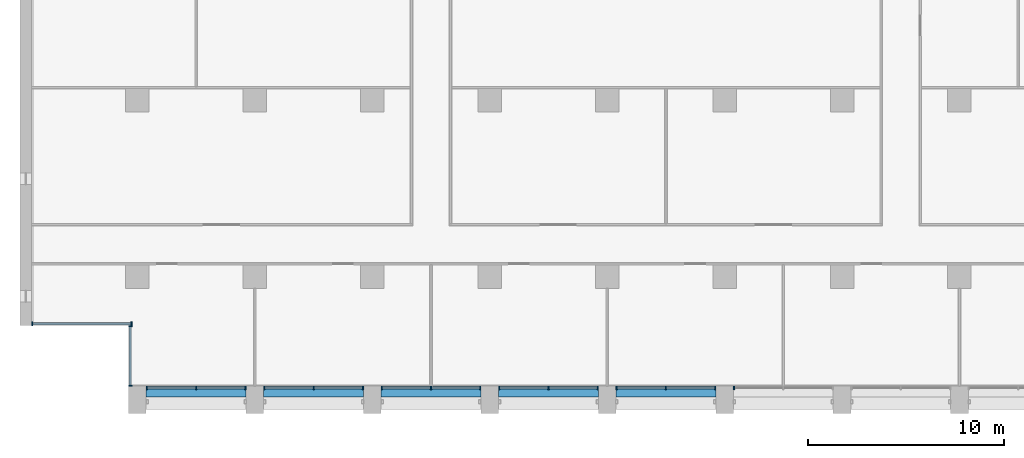
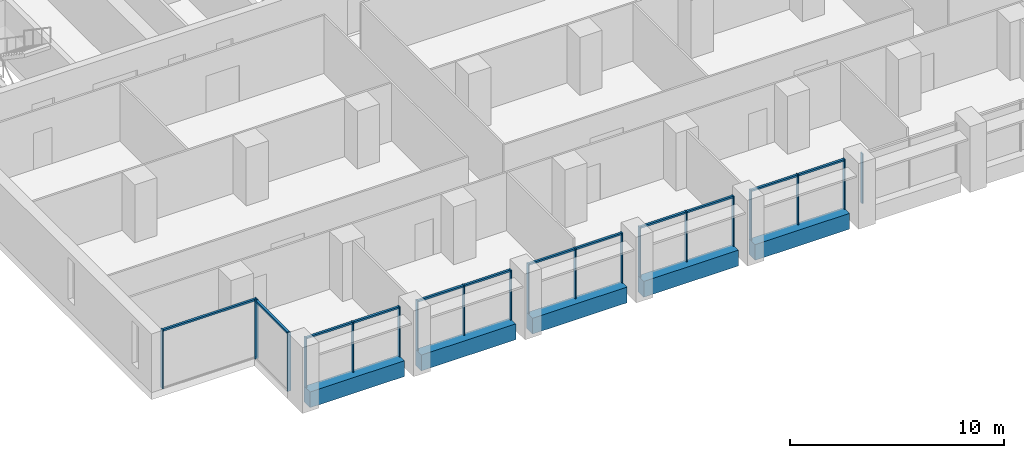
# One storey, part 2 of 17: 32 members, 5 beams, 8 elements without a shape of their own.
"""IFC4 building model written with IfcOpenShell, lengths in metres."""

from ifc_helpers import new_model, si_unit, direction, frame, origin, origin_2d, place, context, subcontext, project, spatial, rectangle, extrude, material, material_profile, profile_set, type_object, element, aggregate, save


model = new_model("IFC4")

# Units and contexts
model_context = context("Model", 3, precision=1e-05, world=origin(), true_north=direction((0.0, 1.0)))
body_context = subcontext(model_context, "Body", "Model", "MODEL_VIEW")
ifc_project = project(units=[si_unit("LENGTHUNIT", "METRE"), si_unit("AREAUNIT", "SQUARE_METRE"), si_unit("VOLUMEUNIT", "CUBIC_METRE"), si_unit("PLANEANGLEUNIT", "RADIAN"), si_unit("MASSUNIT", "GRAM", prefix="KILO")], contexts=[model_context])

# Site, building, storey
site_placement = place(None, origin())
site = spatial("IfcSite", under=ifc_project, at=site_placement, CompositionType="ELEMENT")
building_placement = place(site_placement, origin())
building = spatial("IfcBuilding", under=site, at=building_placement, Name="Calvaro Tower", CompositionType="ELEMENT")
storey_placement = place(building_placement, frame((0.0, 0.0, 170.5)))
storey = spatial("IfcBuildingStorey", under=building, at=storey_placement, Name="L42", CompositionType="ELEMENT", Elevation=170.5)

# Curtain wall, members
ifc_material_1 = material(Name="Anodised aluminium", Category="aluminium")
curtain_wall_type = type_object("IfcCurtainWallType", Name="Office curtain wall, upper zone", PredefinedType="NOTDEFINED", material=ifc_material_1)
curtain_wall_1_placement = place(storey_placement, origin())
curtain_wall_1 = element("IfcCurtainWall", 1, at=curtain_wall_1_placement, inside=storey, type_object=curtain_wall_type, Name="CW3 south curtain wall", PredefinedType="NOTDEFINED")
ifc_material_2 = material(Name="Anodised aluminium", Category="aluminium")
ifc_material_profile_1 = material_profile(ifc_material_2, rectangle(XDim=0.179931640625, YDim=0.06005859375, at=origin_2d()), Name="Mullion S3 60 x 180")
ifc_profile_set_1 = profile_set([ifc_material_profile_1], Name="Anodised aluminium")
member_type_1 = type_object("IfcMemberType", Name="Mullion S3 60 x 180", PredefinedType="MULLION", material=ifc_profile_set_1)
member_1_placement = place(storey_placement, frame((12.47998046875, 4.31005859375, 0.0), z_axis=(0.0, 0.0, 1.0), x_axis=(0.0, 1.0, 0.0)))
member_1 = element("IfcMember", 2, at=member_1_placement, type_object=member_type_1, Name="CW3 mullion 1", PredefinedType="MULLION", context=body_context, shape_type="SweptSolid", body=[
    extrude(rectangle(XDim=0.179931640625, YDim=0.06005859375, at=origin_2d()), origin(), (0.0, 0.0, 1.0), 2.85009765625),
])
member_2_placement = place(storey_placement, frame((15.0, 4.31005859375, 0.0), z_axis=(0.0, 0.0, 1.0), x_axis=(0.0, 1.0, 0.0)))
member_2 = element("IfcMember", 3, at=member_2_placement, type_object=member_type_1, Name="CW3 mullion 2", PredefinedType="MULLION", context=body_context, shape_type="SweptSolid", body=[
    extrude(rectangle(XDim=0.179931640625, YDim=0.06005859375, at=origin_2d()), origin(), (0.0, 0.0, 1.0), 2.85009765625),
])
member_3_placement = place(storey_placement, frame((17.52001953125, 4.31005859375, 0.0), z_axis=(0.0, 0.0, 1.0), x_axis=(0.0, 1.0, 0.0)))
member_3 = element("IfcMember", 4, at=member_3_placement, type_object=member_type_1, Name="CW3 mullion 3", PredefinedType="MULLION", context=body_context, shape_type="SweptSolid", body=[
    extrude(rectangle(XDim=0.179931640625, YDim=0.06005859375, at=origin_2d()), origin(), (0.0, 0.0, 1.0), 2.85009765625),
])

curtain_wall_2_placement = place(storey_placement, origin())
curtain_wall_2 = element("IfcCurtainWall", 5, at=curtain_wall_2_placement, inside=storey, type_object=curtain_wall_type, Name="CW3 south curtain wall", PredefinedType="NOTDEFINED")
member_4_placement = place(storey_placement, frame((18.47998046875, 4.31005859375, 0.0), z_axis=(0.0, 0.0, 1.0), x_axis=(0.0, 1.0, 0.0)))
member_4 = element("IfcMember", 6, at=member_4_placement, type_object=member_type_1, Name="CW3 mullion 1", PredefinedType="MULLION", context=body_context, shape_type="SweptSolid", body=[
    extrude(rectangle(XDim=0.179931640625, YDim=0.06005859375, at=origin_2d()), origin(), (0.0, 0.0, 1.0), 2.85009765625),
])
member_5_placement = place(storey_placement, frame((21.0, 4.31005859375, 0.0), z_axis=(0.0, 0.0, 1.0), x_axis=(0.0, 1.0, 0.0)))
member_5 = element("IfcMember", 7, at=member_5_placement, type_object=member_type_1, Name="CW3 mullion 2", PredefinedType="MULLION", context=body_context, shape_type="SweptSolid", body=[
    extrude(rectangle(XDim=0.179931640625, YDim=0.06005859375, at=origin_2d()), origin(), (0.0, 0.0, 1.0), 2.85009765625),
])
member_6_placement = place(storey_placement, frame((23.52001953125, 4.31005859375, 0.0), z_axis=(0.0, 0.0, 1.0), x_axis=(0.0, 1.0, 0.0)))
member_6 = element("IfcMember", 8, at=member_6_placement, type_object=member_type_1, Name="CW3 mullion 3", PredefinedType="MULLION", context=body_context, shape_type="SweptSolid", body=[
    extrude(rectangle(XDim=0.179931640625, YDim=0.06005859375, at=origin_2d()), origin(), (0.0, 0.0, 1.0), 2.85009765625),
])

curtain_wall_3_placement = place(storey_placement, origin())
curtain_wall_3 = element("IfcCurtainWall", 9, at=curtain_wall_3_placement, inside=storey, type_object=curtain_wall_type, Name="CW3 south curtain wall", PredefinedType="NOTDEFINED")
member_7_placement = place(storey_placement, frame((24.47998046875, 4.31005859375, 0.0), z_axis=(0.0, 0.0, 1.0), x_axis=(0.0, 1.0, 0.0)))
member_7 = element("IfcMember", 10, at=member_7_placement, type_object=member_type_1, Name="CW3 mullion 1", PredefinedType="MULLION", context=body_context, shape_type="SweptSolid", body=[
    extrude(rectangle(XDim=0.179931640625, YDim=0.06005859375, at=origin_2d()), origin(), (0.0, 0.0, 1.0), 2.85009765625),
])
member_8_placement = place(storey_placement, frame((27.0, 4.31005859375, 0.0), z_axis=(0.0, 0.0, 1.0), x_axis=(0.0, 1.0, 0.0)))
member_8 = element("IfcMember", 11, at=member_8_placement, type_object=member_type_1, Name="CW3 mullion 2", PredefinedType="MULLION", context=body_context, shape_type="SweptSolid", body=[
    extrude(rectangle(XDim=0.179931640625, YDim=0.06005859375, at=origin_2d()), origin(), (0.0, 0.0, 1.0), 2.85009765625),
])
member_9_placement = place(storey_placement, frame((29.52001953125, 4.31005859375, 0.0), z_axis=(0.0, 0.0, 1.0), x_axis=(0.0, 1.0, 0.0)))
member_9 = element("IfcMember", 12, at=member_9_placement, type_object=member_type_1, Name="CW3 mullion 3", PredefinedType="MULLION", context=body_context, shape_type="SweptSolid", body=[
    extrude(rectangle(XDim=0.179931640625, YDim=0.06005859375, at=origin_2d()), origin(), (0.0, 0.0, 1.0), 2.85009765625),
])

curtain_wall_4_placement = place(storey_placement, origin())
curtain_wall_4 = element("IfcCurtainWall", 13, at=curtain_wall_4_placement, inside=storey, type_object=curtain_wall_type, Name="CW3 south curtain wall", PredefinedType="NOTDEFINED")
member_10_placement = place(storey_placement, frame((30.47998046875, 4.31005859375, 0.0), z_axis=(0.0, 0.0, 1.0), x_axis=(0.0, 1.0, 0.0)))
member_10 = element("IfcMember", 14, at=member_10_placement, type_object=member_type_1, Name="CW3 mullion 1", PredefinedType="MULLION", context=body_context, shape_type="SweptSolid", body=[
    extrude(rectangle(XDim=0.179931640625, YDim=0.06005859375, at=origin_2d()), origin(), (0.0, 0.0, 1.0), 2.85009765625),
])
member_11_placement = place(storey_placement, frame((33.0, 4.31005859375, 0.0), z_axis=(0.0, 0.0, 1.0), x_axis=(0.0, 1.0, 0.0)))
member_11 = element("IfcMember", 15, at=member_11_placement, type_object=member_type_1, Name="CW3 mullion 2", PredefinedType="MULLION", context=body_context, shape_type="SweptSolid", body=[
    extrude(rectangle(XDim=0.179931640625, YDim=0.06005859375, at=origin_2d()), origin(), (0.0, 0.0, 1.0), 2.85009765625),
])
member_12_placement = place(storey_placement, frame((35.52001953125, 4.31005859375, 0.0), z_axis=(0.0, 0.0, 1.0), x_axis=(0.0, 1.0, 0.0)))
member_12 = element("IfcMember", 16, at=member_12_placement, type_object=member_type_1, Name="CW3 mullion 3", PredefinedType="MULLION", context=body_context, shape_type="SweptSolid", body=[
    extrude(rectangle(XDim=0.179931640625, YDim=0.06005859375, at=origin_2d()), origin(), (0.0, 0.0, 1.0), 2.85009765625),
])

curtain_wall_5_placement = place(storey_placement, origin())
curtain_wall_5 = element("IfcCurtainWall", 17, at=curtain_wall_5_placement, inside=storey, type_object=curtain_wall_type, Name="CW3 south curtain wall", PredefinedType="NOTDEFINED")
member_13_placement = place(storey_placement, frame((36.47998046875, 4.31005859375, 0.0), z_axis=(0.0, 0.0, 1.0), x_axis=(0.0, 1.0, 0.0)))
member_13 = element("IfcMember", 18, at=member_13_placement, type_object=member_type_1, Name="CW3 mullion 1", PredefinedType="MULLION", context=body_context, shape_type="SweptSolid", body=[
    extrude(rectangle(XDim=0.179931640625, YDim=0.06005859375, at=origin_2d()), origin(), (0.0, 0.0, 1.0), 2.85009765625),
])
member_14_placement = place(storey_placement, frame((39.0, 4.31005859375, 0.0), z_axis=(0.0, 0.0, 1.0), x_axis=(0.0, 1.0, 0.0)))
member_14 = element("IfcMember", 19, at=member_14_placement, type_object=member_type_1, Name="CW3 mullion 2", PredefinedType="MULLION", context=body_context, shape_type="SweptSolid", body=[
    extrude(rectangle(XDim=0.179931640625, YDim=0.06005859375, at=origin_2d()), origin(), (0.0, 0.0, 1.0), 2.85009765625),
])
member_15_placement = place(storey_placement, frame((41.52001953125, 4.31005859375, 0.0), z_axis=(0.0, 0.0, 1.0), x_axis=(0.0, 1.0, 0.0)))
member_15 = element("IfcMember", 20, at=member_15_placement, type_object=member_type_1, Name="CW3 mullion 3", PredefinedType="MULLION", context=body_context, shape_type="SweptSolid", body=[
    extrude(rectangle(XDim=0.179931640625, YDim=0.06005859375, at=origin_2d()), origin(), (0.0, 0.0, 1.0), 2.85009765625),
])

# Curtain wall, member
curtain_wall_6_placement = place(storey_placement, origin())
curtain_wall_6 = element("IfcCurtainWall", 21, at=curtain_wall_6_placement, inside=storey, type_object=curtain_wall_type, Name="CW3 south curtain wall", PredefinedType="NOTDEFINED")
member_16_placement = place(storey_placement, frame((42.47998046875, 4.31005859375, 0.0), z_axis=(0.0, 0.0, 1.0), x_axis=(0.0, 1.0, 0.0)))
member_16 = element("IfcMember", 22, at=member_16_placement, type_object=member_type_1, Name="CW3 mullion 1", PredefinedType="MULLION", context=body_context, shape_type="SweptSolid", body=[
    extrude(rectangle(XDim=0.179931640625, YDim=0.06005859375, at=origin_2d()), origin(), (0.0, 0.0, 1.0), 2.85009765625),
])
aggregate(curtain_wall_6, [member_16])

# Curtain wall, members
curtain_wall_7_placement = place(storey_placement, origin())
curtain_wall_7 = element("IfcCurtainWall", 23, at=curtain_wall_7_placement, inside=storey, type_object=curtain_wall_type, Name="CW3 corner curtain wall", PredefinedType="NOTDEFINED")
member_17_placement = place(storey_placement, frame((11.639892578125, 4.429931640625, 0.0), z_axis=(0.0, 0.0, 1.0), x_axis=(-1.0, 0.0, 0.0)))
member_17 = element("IfcMember", 24, at=member_17_placement, type_object=member_type_1, Name="CW3 mullion 1", PredefinedType="MULLION", context=body_context, shape_type="SweptSolid", body=[
    extrude(rectangle(XDim=0.179931640625, YDim=0.06005859375, at=origin_2d()), origin(), (0.0, 0.0, 1.0), 3.35009765625),
])
member_18_placement = place(storey_placement, frame((11.639892578125, 7.469970703125, 0.0), z_axis=(0.0, 0.0, 1.0), x_axis=(-1.0, 0.0, 0.0)))
member_18 = element("IfcMember", 25, at=member_18_placement, type_object=member_type_1, Name="CW3 mullion 2", PredefinedType="MULLION", context=body_context, shape_type="SweptSolid", body=[
    extrude(rectangle(XDim=0.179931640625, YDim=0.06005859375, at=origin_2d()), origin(), (0.0, 0.0, 1.0), 3.35009765625),
])

curtain_wall_8_placement = place(storey_placement, origin())
curtain_wall_8 = element("IfcCurtainWall", 26, at=curtain_wall_8_placement, inside=storey, type_object=curtain_wall_type, Name="CW3 corner curtain wall", PredefinedType="NOTDEFINED")
member_19_placement = place(storey_placement, frame((6.6298828125, 7.590087890625, 0.0), z_axis=(0.0, 0.0, 1.0), x_axis=(0.0, 1.0, 0.0)))
member_19 = element("IfcMember", 27, at=member_19_placement, type_object=member_type_1, Name="CW3 mullion 1", PredefinedType="MULLION", context=body_context, shape_type="SweptSolid", body=[
    extrude(rectangle(XDim=0.179931640625, YDim=0.06005859375, at=origin_2d()), origin(), (0.0, 0.0, 1.0), 3.35009765625),
])
member_20_placement = place(storey_placement, frame((11.699951171875, 7.590087890625, 0.0), z_axis=(0.0, 0.0, 1.0), x_axis=(0.0, 1.0, 0.0)))
member_20 = element("IfcMember", 28, at=member_20_placement, type_object=member_type_1, Name="CW3 mullion 2", PredefinedType="MULLION", context=body_context, shape_type="SweptSolid", body=[
    extrude(rectangle(XDim=0.179931640625, YDim=0.06005859375, at=origin_2d()), origin(), (0.0, 0.0, 1.0), 3.35009765625),
])

# Beams
ifc_material_3 = material(Name="Concrete C50/60 precast", Category="concrete")
ifc_material_profile_2 = material_profile(ifc_material_3, rectangle(XDim=0.550048828125, YDim=0.89990234375, at=origin_2d()), Name="RC 550x900")
ifc_profile_set_2 = profile_set([ifc_material_profile_2], Name="Concrete C50/60 precast")
beam_type = type_object("IfcBeamType", Name="Spandrel beam 550x900 C50/60", PredefinedType="SPANDREL", material=ifc_profile_set_2)
for number, where, z_axis, x_axis, name in (
    (29, (12.449951171875, 4.125, -0.449951171875), (1.0, 0.0, 0.0), (0.0, 1.0, 0.0), "Spandrel beam"),
    (30, (18.449951171875, 4.125, -0.449951171875), (1.0, 0.0, 0.0), (0.0, 1.0, 0.0), "Spandrel beam"),
    (31, (24.449951171875, 4.125, -0.449951171875), (1.0, 0.0, 0.0), (0.0, 1.0, 0.0), "Spandrel beam"),
    (32, (30.449951171875, 4.125, -0.449951171875), (1.0, 0.0, 0.0), (0.0, 1.0, 0.0), "Spandrel beam"),
    (33, (36.449951171875, 4.125, -0.449951171875), (1.0, 0.0, 0.0), (0.0, 1.0, 0.0), "Spandrel beam"),
):
    element("IfcBeam", number, at=place(storey_placement, frame(where, z_axis=z_axis, x_axis=x_axis)), inside=storey, type_object=beam_type, Name=name, PredefinedType="SPANDREL", context=body_context, shape_type="SweptSolid", body=[
        extrude(rectangle(XDim=0.550048828125, YDim=0.89990234375, at=origin_2d()), origin(), (0.0, 0.0, 1.0), 5.10009765625),
    ])

# Member
ifc_material_4 = material(Name="Anodised aluminium", Category="aluminium")
ifc_material_profile_3 = material_profile(ifc_material_4, rectangle(XDim=0.1201171875, YDim=0.10009765625, at=origin_2d()), Name="Transom S3 100 x 120")
ifc_profile_set_3 = profile_set([ifc_material_profile_3], Name="Anodised aluminium")
member_type_2 = type_object("IfcMemberType", Name="Transom S3 100 x 120", PredefinedType="USERDEFINED", material=ifc_profile_set_3)
member_21_placement = place(storey_placement, frame((12.510009765625, 4.31005859375, 2.800048828125), z_axis=(1.0, 0.0, 0.0), x_axis=(0.0, 1.0, 0.0)))
member_21 = element("IfcMember", 34, at=member_21_placement, type_object=member_type_2, Name="CW3 transom 1.1", ObjectType="TRANSOM", PredefinedType="USERDEFINED", context=body_context, shape_type="SweptSolid", body=[
    extrude(rectangle(XDim=0.1201171875, YDim=0.10009765625, at=origin_2d()), origin(), (0.0, 0.0, 1.0), 2.4599609375),
])

member_22_placement = place(storey_placement, frame((15.030029296875, 4.31005859375, 2.800048828125), z_axis=(1.0, 0.0, 0.0), x_axis=(0.0, 1.0, 0.0)))
member_22 = element("IfcMember", 35, at=member_22_placement, type_object=member_type_2, Name="CW3 transom 2.1", ObjectType="TRANSOM", PredefinedType="USERDEFINED", context=body_context, shape_type="SweptSolid", body=[
    extrude(rectangle(XDim=0.1201171875, YDim=0.10009765625, at=origin_2d()), origin(), (0.0, 0.0, 1.0), 2.4599609375),
])

aggregate(curtain_wall_1, [member_1, member_2, member_3, member_21, member_22])

member_23_placement = place(storey_placement, frame((18.510009765625, 4.31005859375, 2.800048828125), z_axis=(1.0, 0.0, 0.0), x_axis=(0.0, 1.0, 0.0)))
member_23 = element("IfcMember", 36, at=member_23_placement, type_object=member_type_2, Name="CW3 transom 1.1", ObjectType="TRANSOM", PredefinedType="USERDEFINED", context=body_context, shape_type="SweptSolid", body=[
    extrude(rectangle(XDim=0.1201171875, YDim=0.10009765625, at=origin_2d()), origin(), (0.0, 0.0, 1.0), 2.4599609375),
])

member_24_placement = place(storey_placement, frame((21.030029296875, 4.31005859375, 2.800048828125), z_axis=(1.0, 0.0, 0.0), x_axis=(0.0, 1.0, 0.0)))
member_24 = element("IfcMember", 37, at=member_24_placement, type_object=member_type_2, Name="CW3 transom 2.1", ObjectType="TRANSOM", PredefinedType="USERDEFINED", context=body_context, shape_type="SweptSolid", body=[
    extrude(rectangle(XDim=0.1201171875, YDim=0.10009765625, at=origin_2d()), origin(), (0.0, 0.0, 1.0), 2.4599609375),
])

aggregate(curtain_wall_2, [member_4, member_5, member_6, member_23, member_24])

member_25_placement = place(storey_placement, frame((24.510009765625, 4.31005859375, 2.800048828125), z_axis=(1.0, 0.0, 0.0), x_axis=(0.0, 1.0, 0.0)))
member_25 = element("IfcMember", 38, at=member_25_placement, type_object=member_type_2, Name="CW3 transom 1.1", ObjectType="TRANSOM", PredefinedType="USERDEFINED", context=body_context, shape_type="SweptSolid", body=[
    extrude(rectangle(XDim=0.1201171875, YDim=0.10009765625, at=origin_2d()), origin(), (0.0, 0.0, 1.0), 2.4599609375),
])

member_26_placement = place(storey_placement, frame((27.030029296875, 4.31005859375, 2.800048828125), z_axis=(1.0, 0.0, 0.0), x_axis=(0.0, 1.0, 0.0)))
member_26 = element("IfcMember", 39, at=member_26_placement, type_object=member_type_2, Name="CW3 transom 2.1", ObjectType="TRANSOM", PredefinedType="USERDEFINED", context=body_context, shape_type="SweptSolid", body=[
    extrude(rectangle(XDim=0.1201171875, YDim=0.10009765625, at=origin_2d()), origin(), (0.0, 0.0, 1.0), 2.4599609375),
])

aggregate(curtain_wall_3, [member_7, member_8, member_9, member_25, member_26])

member_27_placement = place(storey_placement, frame((30.510009765625, 4.31005859375, 2.800048828125), z_axis=(1.0, 0.0, 0.0), x_axis=(0.0, 1.0, 0.0)))
member_27 = element("IfcMember", 40, at=member_27_placement, type_object=member_type_2, Name="CW3 transom 1.1", ObjectType="TRANSOM", PredefinedType="USERDEFINED", context=body_context, shape_type="SweptSolid", body=[
    extrude(rectangle(XDim=0.1201171875, YDim=0.10009765625, at=origin_2d()), origin(), (0.0, 0.0, 1.0), 2.4599609375),
])

member_28_placement = place(storey_placement, frame((33.030029296875, 4.31005859375, 2.800048828125), z_axis=(1.0, 0.0, 0.0), x_axis=(0.0, 1.0, 0.0)))
member_28 = element("IfcMember", 41, at=member_28_placement, type_object=member_type_2, Name="CW3 transom 2.1", ObjectType="TRANSOM", PredefinedType="USERDEFINED", context=body_context, shape_type="SweptSolid", body=[
    extrude(rectangle(XDim=0.1201171875, YDim=0.10009765625, at=origin_2d()), origin(), (0.0, 0.0, 1.0), 2.4599609375),
])

aggregate(curtain_wall_4, [member_10, member_11, member_12, member_27, member_28])

member_29_placement = place(storey_placement, frame((36.510009765625, 4.31005859375, 2.800048828125), z_axis=(1.0, 0.0, 0.0), x_axis=(0.0, 1.0, 0.0)))
member_29 = element("IfcMember", 42, at=member_29_placement, type_object=member_type_2, Name="CW3 transom 1.1", ObjectType="TRANSOM", PredefinedType="USERDEFINED", context=body_context, shape_type="SweptSolid", body=[
    extrude(rectangle(XDim=0.1201171875, YDim=0.10009765625, at=origin_2d()), origin(), (0.0, 0.0, 1.0), 2.4599609375),
])

member_30_placement = place(storey_placement, frame((39.030029296875, 4.31005859375, 2.800048828125), z_axis=(1.0, 0.0, 0.0), x_axis=(0.0, 1.0, 0.0)))
member_30 = element("IfcMember", 43, at=member_30_placement, type_object=member_type_2, Name="CW3 transom 2.1", ObjectType="TRANSOM", PredefinedType="USERDEFINED", context=body_context, shape_type="SweptSolid", body=[
    extrude(rectangle(XDim=0.1201171875, YDim=0.10009765625, at=origin_2d()), origin(), (0.0, 0.0, 1.0), 2.4599609375),
])

aggregate(curtain_wall_5, [member_13, member_14, member_15, member_29, member_30])

member_31_placement = place(storey_placement, frame((11.639892578125, 4.4599609375, 3.300048828125), z_axis=(0.0, 1.0, 0.0), x_axis=(-1.0, 0.0, 0.0)))
member_31 = element("IfcMember", 44, at=member_31_placement, type_object=member_type_2, Name="CW3 transom 1.1", ObjectType="TRANSOM", PredefinedType="USERDEFINED", context=body_context, shape_type="SweptSolid", body=[
    extrude(rectangle(XDim=0.1201171875, YDim=0.10009765625, at=origin_2d()), origin(), (0.0, 0.0, 1.0), 2.97998046875),
])

aggregate(curtain_wall_7, [member_17, member_18, member_31])

member_32_placement = place(storey_placement, frame((6.659912109375, 7.590087890625, 3.300048828125), z_axis=(1.0, 0.0, 0.0), x_axis=(0.0, 1.0, 0.0)))
member_32 = element("IfcMember", 45, at=member_32_placement, type_object=member_type_2, Name="CW3 transom 1.1", ObjectType="TRANSOM", PredefinedType="USERDEFINED", context=body_context, shape_type="SweptSolid", body=[
    extrude(rectangle(XDim=0.1201171875, YDim=0.10009765625, at=origin_2d()), origin(), (0.0, 0.0, 1.0), 5.010009765625),
])

aggregate(curtain_wall_8, [member_19, member_20, member_32])

save(model, "model.ifc")
